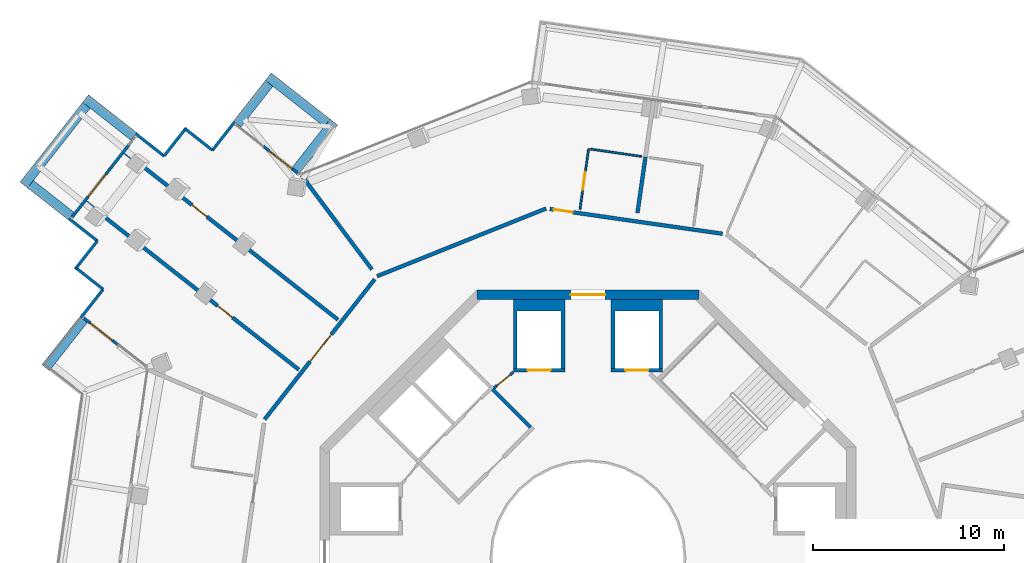
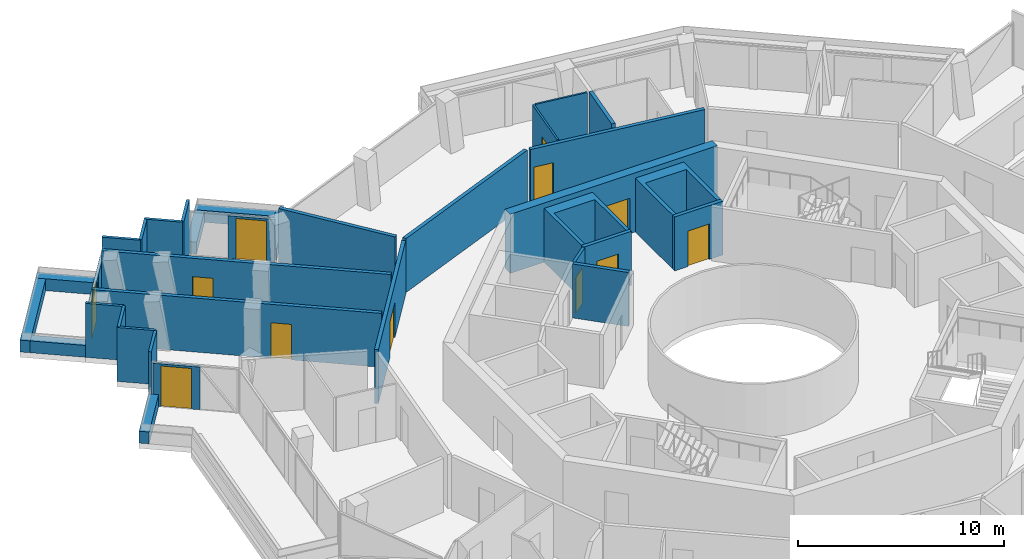
# One storey, part 18 of 23: 35 walls, 12 doors, 12 openings.
"""IFC4 building model written with IfcOpenShell, lengths in metres."""

from ifc_helpers import new_model, si_unit, direction, frame, frame_2d, origin, place, context, subcontext, project, spatial, polyline, rectangle, outline, extrude, material, layer, layer_set, type_object, element, fill, save


model = new_model("IFC4")

# Units and contexts
model_context = context("Model", 3, precision=1e-05, world=origin(), true_north=direction((0.0, 1.0)))
body_context = subcontext(model_context, "Body", "Model", "MODEL_VIEW")
ifc_project = project(units=[si_unit("LENGTHUNIT", "METRE"), si_unit("AREAUNIT", "SQUARE_METRE"), si_unit("VOLUMEUNIT", "CUBIC_METRE"), si_unit("PLANEANGLEUNIT", "RADIAN"), si_unit("MASSUNIT", "GRAM", prefix="KILO")], contexts=[model_context])

# Site, building, storey
site_placement = place(None, origin())
site = spatial("IfcSite", under=ifc_project, at=site_placement, CompositionType="ELEMENT")
building_placement = place(site_placement, origin())
building = spatial("IfcBuilding", under=site, at=building_placement, Name="Verdalira Terraces Hotel", CompositionType="ELEMENT")
storey_placement = place(building_placement, frame((0.0, 0.0, 244.5)))
storey = spatial("IfcBuildingStorey", under=building, at=storey_placement, Name="L60", CompositionType="ELEMENT", Elevation=244.5)

# Walls
ifc_material_1 = material(Name="Concrete C40", Category="concrete")
ifc_layer_1 = layer(ifc_material_1, 0.5)
ifc_layer_set_1 = layer_set([ifc_layer_1], Name="Balcony planter trough with tree")
wall_type_1 = type_object("IfcWallType", Name="Balcony planter trough with tree", PredefinedType="SOLIDWALL", material=ifc_layer_set_1)
wall_1_placement = place(storey_placement, frame((-23.736328, 22.022217, 0.0), z_axis=(0.0, 0.0, 1.0), x_axis=(-0.786326284, 0.61781144, 0.0)))
element("IfcWall", 1, at=wall_1_placement, inside=storey, type_object=wall_type_1, Name="Balcony planter", PredefinedType="SOLIDWALL", context=body_context, shape_type="SweptSolid", body=[
    extrude(rectangle(XDim=3.198975, YDim=0.5, at=frame_2d((1.599609, 0.0))), origin(), (0.0, 0.0, 1.0), 0.699951),
])
wall_2_placement = place(storey_placement, frame((-26.209473, 23.647705, 0.0), z_axis=(0.0, 0.0, 1.0), x_axis=(-0.617845964, -0.786299158, 0.0)))
element("IfcWall", 2, at=wall_2_placement, inside=storey, type_object=wall_type_1, Name="Balcony planter", PredefinedType="SOLIDWALL", context=body_context, shape_type="SweptSolid", body=[
    extrude(rectangle(XDim=5.300049, YDim=0.5, at=frame_2d((2.649902, 0.0))), origin(), (0.0, 0.0, 1.0), 0.699951),
])
wall_3_placement = place(storey_placement, frame((-29.133301, 19.522461, 0.0), z_axis=(0.0, 0.0, 1.0), x_axis=(0.786283812, -0.617865492, 0.0)))
element("IfcWall", 3, at=wall_3_placement, inside=storey, type_object=wall_type_1, Name="Balcony planter", PredefinedType="SOLIDWALL", context=body_context, shape_type="SweptSolid", body=[
    extrude(rectangle(XDim=2.699219, YDim=0.5, at=frame_2d((1.349609, 0.0))), origin(), (0.0, 0.0, 1.0), 0.699951),
])
for number, where, z_axis, x_axis, name in (
    (4, (-26.362305, 12.44751, 0.0), (0.0, 0.0, 1.0), (-0.617858626, -0.786289208, 0.0), "Balcony planter"),
    (5, (-15.253906, 20.254395, 0.0), (0.0, 0.0, 1.0), (0.617858626, 0.786289208, 0.0), "Balcony planter"),
):
    element("IfcWall", number, at=place(storey_placement, frame(where, z_axis=z_axis, x_axis=x_axis)), inside=storey, type_object=wall_type_1, Name=name, PredefinedType="SOLIDWALL", context=body_context, shape_type="SweptSolid", body=[
        extrude(rectangle(XDim=3.198975, YDim=0.5, at=frame_2d((1.599609, 0.0))), origin(), (0.0, 0.0, 1.0), 0.699951),
    ])
wall_4_placement = place(storey_placement, frame((-13.628418, 22.727539, 0.0), z_axis=(0.0, 0.0, 1.0), x_axis=(-0.786259848, 0.617895988, 0.0)))
element("IfcWall", 6, at=wall_4_placement, inside=storey, type_object=wall_type_1, Name="Balcony planter", PredefinedType="SOLIDWALL", context=body_context, shape_type="SweptSolid", body=[
    extrude(rectangle(XDim=3.910889, YDim=0.5, at=frame_2d((1.955566, 0.0))), origin(), (0.0, 0.0, 1.0), 0.699951),
])
wall_5_placement = place(storey_placement, frame((-16.661377, 24.792969, 0.0), z_axis=(0.0, 0.0, 1.0), x_axis=(-0.617809567, -0.786327755, 0.0)))
element("IfcWall", 7, at=wall_5_placement, inside=storey, type_object=wall_type_1, Name="Balcony planter", PredefinedType="SOLIDWALL", context=body_context, shape_type="SweptSolid", body=[
    extrude(rectangle(XDim=2.698975, YDim=0.5, at=frame_2d((1.349609, 0.0))), origin(), (0.0, 0.0, 1.0), 0.699951),
])

# Wall, opening, door
ifc_material_2 = material(Name="Moisture-resistant gypsum board partition")
ifc_layer_2 = layer(ifc_material_2, 0.10009765625)
ifc_layer_set_2 = layer_set([ifc_layer_2], Name="Bathroom partition 100 mm")
wall_type_2 = type_object("IfcWallType", Name="Bathroom partition 100 mm", PredefinedType="PARTITIONING", material=ifc_layer_set_2)
wall_6_placement = place(storey_placement, frame((0.033447, 21.369873, 0.0), z_axis=(0.0, 0.0, 1.0), x_axis=(-0.141912692, -0.989879178, 0.0)))
wall_6 = element("IfcWall", 8, at=wall_6_placement, inside=storey, type_object=wall_type_2, Name="Bathroom partition", PredefinedType="PARTITIONING", context=body_context, shape_type="SweptSolid", body=[
    extrude(rectangle(XDim=3.199951, YDim=0.100098, at=frame_2d((1.600098, 0.0))), origin(), (0.0, 0.0, 1.0), 3.189941),
])
opening_1_placement = place(wall_6_placement, frame((1.25, 0.0, 0.0)))
opening_1 = element("IfcOpeningElement", 9, at=opening_1_placement, cuts=wall_6, Name="Opening L60-128", PredefinedType="OPENING", context=body_context, shape_type="SweptSolid", body=[
    extrude(rectangle(XDim=0.899902, YDim=2.100098, at=frame_2d((0.449951, 1.050049))), frame((0.0, 0.060059, 0.0), z_axis=(0.0, -1.0, 0.0), x_axis=(1.0, 0.0, 0.0)), (0.0, 0.0, 1.0), 0.120117),
])
ifc_material_3 = material(Name="Timber door", Category="wood")
door_type_1 = type_object("IfcDoorType", Name="Bathroom door 900 x 2100", OperationType="NOTDEFINED", PredefinedType="DOOR", material=ifc_material_3)
door_1_placement = place(opening_1_placement, origin())
door_1 = element("IfcDoor", 10, at=door_1_placement, inside=storey, type_object=door_type_1, Name="Bathroom door 6010", OperationType="SINGLE_SWING_LEFT", OverallHeight=2.10009765625, OverallWidth=0.89990234375, PredefinedType="DOOR", context=body_context, shape_type="SweptSolid", body=[
    extrude(rectangle(XDim=0.899902, YDim=2.100098, at=frame_2d((0.449951, 1.050049))), frame((0.0, 0.024902, 0.0), z_axis=(0.0, -1.0, 0.0), x_axis=(1.0, 0.0, 0.0)), (0.0, 0.0, 1.0), 0.050049),
])
fill(opening_1, door_1)

# Walls
wall_7_placement = place(storey_placement, frame((0.132568, 21.355713, 0.0), z_axis=(0.0, 0.0, 1.0), x_axis=(0.989871579, -0.141965687, 0.0)))
element("IfcWall", 11, at=wall_7_placement, inside=storey, type_object=wall_type_2, Name="Bathroom partition", PredefinedType="PARTITIONING", context=body_context, shape_type="SweptSolid", body=[
    extrude(rectangle(XDim=2.699951, YDim=0.100098, at=frame_2d((1.350098, 0.0))), origin(), (0.0, 0.0, 1.0), 3.189941),
])
ifc_material_4 = material(Name="Concrete C50", Category="concrete")
ifc_layer_3 = layer(ifc_material_4, 0.199951171875)
ifc_layer_set_3 = layer_set([ifc_layer_3], Name="Core RC wall 200 C50")
wall_type_3 = type_object("IfcWallType", Name="Core RC wall 200 C50", PredefinedType="SOLIDWALL", material=ifc_layer_set_3)
wall_8_placement = place(storey_placement, origin())
element("IfcWall", 12, at=wall_8_placement, inside=storey, type_object=wall_type_3, Name="L60 shaft wall N1", PredefinedType="SOLIDWALL", context=body_context, shape_type="SweptSolid", body=[
    extrude(outline(polyline([(3.899902, 9.899902), (3.699951, 9.899902), (3.699951, 12.899902), (1.399902, 12.899902), (1.399902, 9.899902), (1.199951, 9.899902), (1.199951, 13.5), (3.899902, 13.5), (3.899902, 9.899902)])), origin(), (0.0, 0.0, 1.0), 3.189941),
])

# Wall, opening, door
wall_9_placement = place(storey_placement, frame((1.199951, 9.800049, 0.0), z_axis=(0.0, 0.0, 1.0), x_axis=(1.0, 0.0, 0.0)))
wall_9 = element("IfcWall", 13, at=wall_9_placement, inside=storey, type_object=wall_type_3, Name="L60 shaft front wall N1", PredefinedType="SOLIDWALL", context=body_context, shape_type="SweptSolid", body=[
    extrude(rectangle(XDim=2.699951, YDim=0.199951, at=frame_2d((1.350098, 0.0))), origin(), (0.0, 0.0, 1.0), 3.189941),
])
opening_2_placement = place(wall_9_placement, frame((0.75, 0.0, 0.0)))
opening_2 = element("IfcOpeningElement", 14, at=opening_2_placement, cuts=wall_9, Name="Opening LD-L60-804", PredefinedType="OPENING", context=body_context, shape_type="SweptSolid", body=[
    extrude(rectangle(XDim=1.199951, YDim=2.100098, at=frame_2d((0.600098, 1.050049))), frame((0.0, 0.109863, 0.0), z_axis=(0.0, -1.0, 0.0), x_axis=(1.0, 0.0, 0.0)), (0.0, 0.0, 1.0), 0.219971),
])
ifc_material_5 = material(Name="Stainless steel", Category="steel")
door_type_2 = type_object("IfcDoorType", Name="Landing door 1200 x 2100", OperationType="NOTDEFINED", PredefinedType="DOOR", material=ifc_material_5)
door_2_placement = place(opening_2_placement, origin())
door_2 = element("IfcDoor", 15, at=door_2_placement, inside=storey, type_object=door_type_2, Name="Lift landing door HR3 L60", OperationType="DOUBLE_DOOR_SLIDING", OverallHeight=2.10009765625, OverallWidth=1.199951171875, PredefinedType="DOOR", context=body_context, shape_type="SweptSolid", body=[
    extrude(rectangle(XDim=1.199951, YDim=2.100098, at=frame_2d((0.600098, 1.050049))), frame((0.0, 0.024902, 0.0), z_axis=(0.0, -1.0, 0.0), x_axis=(1.0, 0.0, 0.0)), (0.0, 0.0, 1.0), 0.050049),
])
fill(opening_2, door_2)

# Wall
wall_10_placement = place(storey_placement, origin())
element("IfcWall", 16, at=wall_10_placement, inside=storey, type_object=wall_type_3, Name="L60 shaft wall N2", PredefinedType="SOLIDWALL", context=body_context, shape_type="SweptSolid", body=[
    extrude(outline(polyline([(-3.899902, 13.5), (-1.199951, 13.5), (-1.199951, 9.899902), (-1.399902, 9.899902), (-1.399902, 12.899902), (-3.699951, 12.899902), (-3.699951, 9.899902), (-3.899902, 9.899902), (-3.899902, 13.5)])), origin(), (0.0, 0.0, 1.0), 3.189941),
])

# Wall, opening, door
wall_11_placement = place(storey_placement, frame((-1.199951, 9.800049, 0.0), z_axis=(0.0, 0.0, 1.0), x_axis=(-1.0, 0.0, 0.0)))
wall_11 = element("IfcWall", 17, at=wall_11_placement, inside=storey, type_object=wall_type_3, Name="L60 shaft front wall N2", PredefinedType="SOLIDWALL", context=body_context, shape_type="SweptSolid", body=[
    extrude(rectangle(XDim=2.699951, YDim=0.199951, at=frame_2d((1.350098, 0.0))), origin(), (0.0, 0.0, 1.0), 3.189941),
])
opening_3_placement = place(wall_11_placement, frame((0.75, 0.0, 0.0)))
opening_3 = element("IfcOpeningElement", 18, at=opening_3_placement, cuts=wall_11, Name="Opening LD-L60-805", PredefinedType="OPENING", context=body_context, shape_type="SweptSolid", body=[
    extrude(rectangle(XDim=1.199951, YDim=2.100098, at=frame_2d((0.600098, 1.050049))), frame((0.0, 0.109863, 0.0), z_axis=(0.0, -1.0, 0.0), x_axis=(1.0, 0.0, 0.0)), (0.0, 0.0, 1.0), 0.219971),
])
door_3_placement = place(opening_3_placement, origin())
door_3 = element("IfcDoor", 19, at=door_3_placement, inside=storey, type_object=door_type_2, Name="Lift landing door HR4 L60", OperationType="DOUBLE_DOOR_SLIDING", OverallHeight=2.10009765625, OverallWidth=1.199951171875, PredefinedType="DOOR", context=body_context, shape_type="SweptSolid", body=[
    extrude(rectangle(XDim=1.199951, YDim=2.100098, at=frame_2d((0.600098, 1.050049))), frame((0.0, 0.024902, 0.0), z_axis=(0.0, -1.0, 0.0), x_axis=(1.0, 0.0, 0.0)), (0.0, 0.0, 1.0), 0.050049),
])
fill(opening_3, door_3)

# Wall
wall_12_placement = place(storey_placement, frame((-3.005127, 6.823486, 0.0), z_axis=(0.0, 0.0, 1.0), x_axis=(-0.707106781, 0.707106781, 0.0)))
element("IfcWall", 20, at=wall_12_placement, inside=storey, type_object=wall_type_3, Name="L60 fire lobby wall", PredefinedType="SOLIDWALL", context=body_context, shape_type="SweptSolid", body=[
    extrude(rectangle(XDim=2.800049, YDim=0.199951, at=frame_2d((1.399902, 0.0))), origin(), (0.0, 0.0, 1.0), 3.189941),
])

# Wall, opening, door
ifc_material_6 = material(Name="Gypsum board partition")
ifc_layer_4 = layer(ifc_material_6, 0.14990234375)
ifc_layer_set_4 = layer_set([ifc_layer_4], Name="Core partition 150 mm")
wall_type_4 = type_object("IfcWallType", Name="Core partition 150 mm", PredefinedType="PARTITIONING", material=ifc_layer_set_4)
wall_13_placement = place(storey_placement, frame((-3.899902, 9.699951, 0.0), z_axis=(0.0, 0.0, 1.0), x_axis=(-0.775559878, -0.631274009, 0.0)))
wall_13 = element("IfcWall", 21, at=wall_13_placement, inside=storey, type_object=wall_type_4, Name="Room partition L60", PredefinedType="PARTITIONING", context=body_context, shape_type="SweptSolid", body=[
    extrude(rectangle(XDim=1.307861, YDim=0.149902, at=frame_2d((0.653809, 0.0))), origin(), (0.0, 0.0, 1.0), 3.189941),
])
opening_4_placement = place(wall_13_placement, frame((0.204102, 0.0, 0.0)))
opening_4 = element("IfcOpeningElement", 22, at=opening_4_placement, cuts=wall_13, Name="Opening L60-820", PredefinedType="OPENING", context=body_context, shape_type="SweptSolid", body=[
    extrude(rectangle(XDim=0.899902, YDim=2.100098, at=frame_2d((0.449951, 1.050049))), frame((0.0, 0.084961, 0.0), z_axis=(0.0, -1.0, 0.0), x_axis=(1.0, 0.0, 0.0)), (0.0, 0.0, 1.0), 0.169922),
])
ifc_material_7 = material(Name="Steel fire door", Category="steel")
door_type_3 = type_object("IfcDoorType", Name="Core room door 900 x 2100", OperationType="NOTDEFINED", PredefinedType="DOOR", material=ifc_material_7)
door_4_placement = place(opening_4_placement, origin())
door_4 = element("IfcDoor", 23, at=door_4_placement, inside=storey, type_object=door_type_3, Name="Door L60 room2", OperationType="SINGLE_SWING_LEFT", OverallHeight=2.10009765625, OverallWidth=0.89990234375, PredefinedType="DOOR", context=body_context, shape_type="SweptSolid", body=[
    extrude(rectangle(XDim=0.899902, YDim=2.100098, at=frame_2d((0.449951, 1.050049))), frame((0.0, 0.024902, 0.0), z_axis=(0.0, -1.0, 0.0), x_axis=(1.0, 0.0, 0.0)), (0.0, 0.0, 1.0), 0.050049),
])
fill(opening_4, door_4)

ifc_material_8 = material(Name="Concrete C50", Category="concrete")
ifc_layer_5 = layer(ifc_material_8, 0.5)
ifc_layer_set_5 = layer_set([ifc_layer_5], Name="Core wall 500 C50")
wall_type_5 = type_object("IfcWallType", Name="Core wall 500 C50", PredefinedType="SHEAR", material=ifc_layer_set_5)
wall_14_placement = place(storey_placement, frame((5.799072, 13.75, 0.0), z_axis=(0.0, 0.0, 1.0), x_axis=(-1.0, 0.0, 0.0)))
wall_14 = element("IfcWall", 24, at=wall_14_placement, inside=storey, type_object=wall_type_5, Name="Core wall CW-L60-3", PredefinedType="SHEAR", context=body_context, shape_type="SweptSolid", body=[
    extrude(rectangle(XDim=11.598145, YDim=0.5, at=frame_2d((5.799072, 0.0))), origin(), (0.0, 0.0, 1.0), 3.5),
])
opening_5_placement = place(wall_14_placement, frame((4.898926, 0.0, 0.0)))
opening_5 = element("IfcOpeningElement", 25, at=opening_5_placement, cuts=wall_14, Name="Opening L60-814", PredefinedType="OPENING", context=body_context, shape_type="SweptSolid", body=[
    extrude(rectangle(XDim=1.800049, YDim=2.100098, at=frame_2d((0.899902, 1.050049))), frame((0.0, 0.26001, 0.0), z_axis=(0.0, -1.0, 0.0), x_axis=(1.0, 0.0, 0.0)), (0.0, 0.0, 1.0), 0.52002),
])
ifc_material_9 = material(Name="Steel fire door", Category="steel")
door_type_4 = type_object("IfcDoorType", Name="Core entry door pair 1800 x 2100", OperationType="NOTDEFINED", PredefinedType="DOOR", material=ifc_material_9)
door_5_placement = place(opening_5_placement, origin())
door_5 = element("IfcDoor", 26, at=door_5_placement, inside=storey, type_object=door_type_4, Name="Core entry door L60 2", OperationType="DOUBLE_DOOR_SINGLE_SWING", OverallHeight=2.10009765625, OverallWidth=1.800048828125, PredefinedType="DOOR", context=body_context, shape_type="SweptSolid", body=[
    extrude(rectangle(XDim=1.800049, YDim=2.100098, at=frame_2d((0.899902, 1.050049))), frame((0.0, 0.024902, 0.0), z_axis=(0.0, -1.0, 0.0), x_axis=(1.0, 0.0, 0.0)), (0.0, 0.0, 1.0), 0.050049),
])
fill(opening_5, door_5)

ifc_material_10 = material(Name="Fire-rated gypsum board wall")
ifc_layer_6 = layer(ifc_material_10, 0.199951171875)
ifc_layer_set_6 = layer_set([ifc_layer_6], Name="Demising wall 200 mm")
wall_type_6 = type_object("IfcWallType", Name="Demising wall 200 mm", PredefinedType="SOLIDWALL", material=ifc_layer_set_6)
wall_15_placement = place(storey_placement, frame((-15.111572, 9.834473, 0.0), z_axis=(0.0, 0.0, 1.0), x_axis=(-0.786285434, 0.617863429, 0.0)))
wall_15 = element("IfcWall", 27, at=wall_15_placement, inside=storey, type_object=wall_type_6, Name="Demising wall", PredefinedType="SOLIDWALL", context=body_context, shape_type="SweptSolid", body=[
    extrude(rectangle(XDim=14.160889, YDim=0.199951, at=frame_2d((7.080566, 0.0))), origin(), (0.0, 0.0, 1.0), 3.189941),
])
opening_6_placement = place(wall_15_placement, frame((4.399902, 0.0, 0.0)))
opening_6 = element("IfcOpeningElement", 28, at=opening_6_placement, cuts=wall_15, Name="Opening L60-103", PredefinedType="OPENING", context=body_context, shape_type="SweptSolid", body=[
    extrude(rectangle(XDim=1.0, YDim=2.100098, at=frame_2d((0.5, 1.050049))), frame((0.0, 0.109863, 0.0), z_axis=(0.0, -1.0, 0.0), x_axis=(1.0, 0.0, 0.0)), (0.0, 0.0, 1.0), 0.219971),
])
ifc_material_11 = material(Name="Timber fire door", Category="wood")
door_type_5 = type_object("IfcDoorType", Name="Public room door 1000 x 2100", OperationType="NOTDEFINED", PredefinedType="DOOR", material=ifc_material_11)
door_6_placement = place(opening_6_placement, origin())
door_6 = element("IfcDoor", 29, at=door_6_placement, inside=storey, type_object=door_type_5, Name="Public room door 6001", OperationType="SINGLE_SWING_LEFT", OverallHeight=2.10009765625, OverallWidth=1.0, PredefinedType="DOOR", context=body_context, shape_type="SweptSolid", body=[
    extrude(rectangle(XDim=1.0, YDim=2.100098, at=frame_2d((0.5, 1.050049))), frame((0.0, 0.024902, 0.0), z_axis=(0.0, -1.0, 0.0), x_axis=(1.0, 0.0, 0.0)), (0.0, 0.0, 1.0), 0.050049),
])
fill(opening_6, door_6)

wall_16_placement = place(storey_placement, frame((-24.197998, 21.190186, 0.0), z_axis=(0.0, 0.0, 1.0), x_axis=(0.78629381, -0.61785277, 0.0)))
wall_16 = element("IfcWall", 30, at=wall_16_placement, inside=storey, type_object=wall_type_6, Name="Demising wall", PredefinedType="SOLIDWALL", context=body_context, shape_type="SweptSolid", body=[
    extrude(rectangle(XDim=14.160645, YDim=0.199951, at=frame_2d((7.080322, 0.0))), origin(), (0.0, 0.0, 1.0), 3.189941),
])
opening_7_placement = place(wall_16_placement, frame((4.449951, 0.0, 0.0)))
opening_7 = element("IfcOpeningElement", 31, at=opening_7_placement, cuts=wall_16, Name="Opening L60-102", PredefinedType="OPENING", context=body_context, shape_type="SweptSolid", body=[
    extrude(rectangle(XDim=1.0, YDim=2.100098, at=frame_2d((0.5, 1.050049))), frame((0.0, 0.109863, 0.0), z_axis=(0.0, -1.0, 0.0), x_axis=(1.0, 0.0, 0.0)), (0.0, 0.0, 1.0), 0.219971),
])
door_7_placement = place(opening_7_placement, origin())
door_7 = element("IfcDoor", 32, at=door_7_placement, inside=storey, type_object=door_type_5, Name="Public room door 6001", OperationType="SINGLE_SWING_LEFT", OverallHeight=2.10009765625, OverallWidth=1.0, PredefinedType="DOOR", context=body_context, shape_type="SweptSolid", body=[
    extrude(rectangle(XDim=1.0, YDim=2.100098, at=frame_2d((0.5, 1.050049))), frame((0.0, 0.024902, 0.0), z_axis=(0.0, -1.0, 0.0), x_axis=(1.0, 0.0, 0.0)), (0.0, 0.0, 1.0), 0.050049),
])
fill(opening_7, door_7)

# Walls
wall_17_placement = place(storey_placement, frame((-14.968018, 19.979004, 0.0), z_axis=(0.0, 0.0, 1.0), x_axis=(0.5995986, -0.800300893, 0.0)))
element("IfcWall", 33, at=wall_17_placement, inside=storey, type_object=wall_type_6, Name="Demising wall", PredefinedType="SOLIDWALL", context=body_context, shape_type="SweptSolid", body=[
    extrude(rectangle(XDim=6.13208, YDim=0.199951, at=frame_2d((3.065918, 0.0))), origin(), (0.0, 0.0, 1.0), 3.189941),
])
wall_18_placement = place(storey_placement, frame((2.583984, 18.02124, 0.0), z_axis=(0.0, 0.0, 1.0), x_axis=(0.141965384, 0.989871623, 0.0)))
element("IfcWall", 34, at=wall_18_placement, inside=storey, type_object=wall_type_6, Name="Demising wall", PredefinedType="SOLIDWALL", context=body_context, shape_type="SweptSolid", body=[
    extrude(rectangle(XDim=2.952637, YDim=0.199951, at=frame_2d((1.476318, 0.0))), origin(), (0.0, 0.0, 1.0), 3.189941),
])

# Wall, opening, door
ifc_material_12 = material(Name="Fire-rated gypsum board wall")
ifc_layer_7 = layer(ifc_material_12, 0.199951171875)
ifc_layer_set_7 = layer_set([ifc_layer_7], Name="Guest corridor wall 200 mm")
wall_type_7 = type_object("IfcWallType", Name="Guest corridor wall 200 mm", PredefinedType="SOLIDWALL", material=ifc_layer_set_7)
wall_19_placement = place(storey_placement, frame((-16.903076, 7.230713, 0.0), z_axis=(0.0, 0.0, 1.0), x_axis=(0.617851641, 0.786294696, 0.0)))
wall_19 = element("IfcWall", 35, at=wall_19_placement, inside=storey, type_object=wall_type_7, Name="Guest corridor wall", PredefinedType="SOLIDWALL", context=body_context, shape_type="SweptSolid", body=[
    extrude(rectangle(XDim=9.31665, YDim=0.199951, at=frame_2d((4.658203, 0.0))), origin(), (0.0, 0.0, 1.0), 3.189941),
])
opening_8_placement = place(wall_19_placement, frame((3.854248, 0.0, 0.0)))
opening_8 = element("IfcOpeningElement", 36, at=opening_8_placement, cuts=wall_19, Name="Opening L60-101", PredefinedType="OPENING", context=body_context, shape_type="SweptSolid", body=[
    extrude(rectangle(XDim=1.800049, YDim=2.100098, at=frame_2d((0.899902, 1.050049))), frame((0.0, 0.109863, 0.0), z_axis=(0.0, -1.0, 0.0), x_axis=(1.0, 0.0, 0.0)), (0.0, 0.0, 1.0), 0.219971),
])
ifc_material_13 = material(Name="Timber fire door", Category="wood")
door_type_6 = type_object("IfcDoorType", Name="Public room double door 1800 x 2100", OperationType="NOTDEFINED", PredefinedType="DOOR", material=ifc_material_13)
door_8_placement = place(opening_8_placement, origin())
door_8 = element("IfcDoor", 37, at=door_8_placement, inside=storey, type_object=door_type_6, Name="Public room double door 6001", OperationType="DOUBLE_DOOR_SINGLE_SWING", OverallHeight=2.10009765625, OverallWidth=1.800048828125, PredefinedType="DOOR", context=body_context, shape_type="SweptSolid", body=[
    extrude(rectangle(XDim=1.800049, YDim=2.100098, at=frame_2d((0.899902, 1.050049))), frame((0.0, 0.024902, 0.0), z_axis=(0.0, -1.0, 0.0), x_axis=(1.0, 0.0, 0.0)), (0.0, 0.0, 1.0), 0.050049),
])
fill(opening_8, door_8)

# Wall
wall_20_placement = place(storey_placement, frame((-2.190186, 18.253662, 0.0), z_axis=(0.0, 0.0, 1.0), x_axis=(-0.928228773, -0.372009873, 0.0)))
element("IfcWall", 38, at=wall_20_placement, inside=storey, type_object=wall_type_7, Name="Guest corridor wall", PredefinedType="SOLIDWALL", context=body_context, shape_type="SweptSolid", body=[
    extrude(rectangle(XDim=9.515869, YDim=0.199951, at=frame_2d((4.757812, 0.0))), origin(), (0.0, 0.0, 1.0), 3.189941),
])

# Wall, opening, door
wall_21_placement = place(storey_placement, frame((-1.991211, 18.225586, 0.0), z_axis=(0.0, 0.0, 1.0), x_axis=(0.98987168, -0.141964985, 0.0)))
wall_21 = element("IfcWall", 39, at=wall_21_placement, inside=storey, type_object=wall_type_7, Name="Guest corridor wall", PredefinedType="SOLIDWALL", context=body_context, shape_type="SweptSolid", body=[
    extrude(rectangle(XDim=9.116211, YDim=0.199951, at=frame_2d((4.558105, 0.0))), origin(), (0.0, 0.0, 1.0), 3.189941),
])
opening_9_placement = place(wall_21_placement, frame((0.199951, 0.0, 0.0)))
opening_9 = element("IfcOpeningElement", 40, at=opening_9_placement, cuts=wall_21, Name="Opening L60-127", PredefinedType="OPENING", context=body_context, shape_type="SweptSolid", body=[
    extrude(rectangle(XDim=1.0, YDim=2.100098, at=frame_2d((0.5, 1.050049))), frame((0.0, 0.109863, 0.0), z_axis=(0.0, -1.0, 0.0), x_axis=(1.0, 0.0, 0.0)), (0.0, 0.0, 1.0), 0.219971),
])
ifc_material_14 = material(Name="Timber fire door", Category="wood")
door_type_7 = type_object("IfcDoorType", Name="Guest entry door 1000 x 2100", OperationType="NOTDEFINED", PredefinedType="DOOR", material=ifc_material_14)
door_9_placement = place(opening_9_placement, origin())
door_9 = element("IfcDoor", 41, at=door_9_placement, inside=storey, type_object=door_type_7, Name="Guest entry door 6010", OperationType="SINGLE_SWING_LEFT", OverallHeight=2.10009765625, OverallWidth=1.0, PredefinedType="DOOR", context=body_context, shape_type="SweptSolid", body=[
    extrude(rectangle(XDim=1.0, YDim=2.100098, at=frame_2d((0.5, 1.050049))), frame((0.0, 0.024902, 0.0), z_axis=(0.0, -1.0, 0.0), x_axis=(1.0, 0.0, 0.0)), (0.0, 0.0, 1.0), 0.050049),
])
fill(opening_9, door_9)

# Walls
ifc_material_15 = material(Name="Terracotta cladding", Category="masonry")
ifc_layer_8 = layer(ifc_material_15, 0.14990234375)
ifc_layer_set_8 = layer_set([ifc_layer_8], Name="Terracotta clad wall 150")
wall_type_8 = type_object("IfcWallType", Name="Terracotta clad wall 150", PredefinedType="SOLIDWALL", material=ifc_layer_set_8)
wall_22_placement = place(storey_placement, frame((-18.467285, 22.778076, 0.0), z_axis=(0.0, 0.0, 1.0), x_axis=(-0.617827302, -0.786313821, 0.0)))
element("IfcWall", 42, at=wall_22_placement, inside=storey, type_object=wall_type_8, Name="Terracotta cladding wall", PredefinedType="SOLIDWALL", context=body_context, shape_type="SweptSolid", body=[
    extrude(rectangle(XDim=1.875, YDim=0.149902, at=frame_2d((0.9375, 0.0))), origin(), (0.0, 0.0, 1.0), 3.189941),
])
wall_23_placement = place(storey_placement, frame((-19.625732, 21.303711, 0.0), z_axis=(0.0, 0.0, 1.0), x_axis=(-0.786238324, 0.617923375, 0.0)))
element("IfcWall", 43, at=wall_23_placement, inside=storey, type_object=wall_type_8, Name="Terracotta cladding wall", PredefinedType="SOLIDWALL", context=body_context, shape_type="SweptSolid", body=[
    extrude(rectangle(XDim=1.800049, YDim=0.149902, at=frame_2d((0.899902, 0.0))), origin(), (0.0, 0.0, 1.0), 3.189941),
])
wall_24_placement = place(storey_placement, frame((-20.994629, 22.474854, 0.0), z_axis=(0.0, 0.0, 1.0), x_axis=(-0.617827302, -0.786313821, 0.0)))
element("IfcWall", 44, at=wall_24_placement, inside=storey, type_object=wall_type_8, Name="Terracotta cladding wall", PredefinedType="SOLIDWALL", context=body_context, shape_type="SweptSolid", body=[
    extrude(rectangle(XDim=1.875, YDim=0.149902, at=frame_2d((0.9375, 0.0))), origin(), (0.0, 0.0, 1.0), 3.189941),
])
wall_25_placement = place(storey_placement, frame((-22.153076, 21.000488, 0.0), z_axis=(0.0, 0.0, 1.0), x_axis=(-0.786250567, 0.617907798, 0.0)))
element("IfcWall", 45, at=wall_25_placement, inside=storey, type_object=wall_type_8, Name="Terracotta cladding wall", PredefinedType="SOLIDWALL", context=body_context, shape_type="SweptSolid", body=[
    extrude(rectangle(XDim=1.875244, YDim=0.149902, at=frame_2d((0.9375, 0.0))), origin(), (0.0, 0.0, 1.0), 3.189941),
])
wall_26_placement = place(storey_placement, frame((-27.118408, 17.716553, 0.0), z_axis=(0.0, 0.0, 1.0), x_axis=(0.786313821, -0.617827302, 0.0)))
element("IfcWall", 46, at=wall_26_placement, inside=storey, type_object=wall_type_8, Name="Terracotta cladding wall", PredefinedType="SOLIDWALL", context=body_context, shape_type="SweptSolid", body=[
    extrude(rectangle(XDim=1.875, YDim=0.149902, at=frame_2d((0.9375, 0.0))), origin(), (0.0, 0.0, 1.0), 3.189941),
])
wall_27_placement = place(storey_placement, frame((-25.644043, 16.558105, 0.0), z_axis=(0.0, 0.0, 1.0), x_axis=(-0.617839523, -0.786304218, 0.0)))
element("IfcWall", 47, at=wall_27_placement, inside=storey, type_object=wall_type_8, Name="Terracotta cladding wall", PredefinedType="SOLIDWALL", context=body_context, shape_type="SweptSolid", body=[
    extrude(rectangle(XDim=1.799805, YDim=0.149902, at=frame_2d((0.899902, 0.0))), origin(), (0.0, 0.0, 1.0), 3.189941),
])
wall_28_placement = place(storey_placement, frame((-26.815186, 15.189209, 0.0), z_axis=(0.0, 0.0, 1.0), x_axis=(0.786250567, -0.617907798, 0.0)))
element("IfcWall", 48, at=wall_28_placement, inside=storey, type_object=wall_type_8, Name="Terracotta cladding wall", PredefinedType="SOLIDWALL", context=body_context, shape_type="SweptSolid", body=[
    extrude(rectangle(XDim=1.875244, YDim=0.149902, at=frame_2d((0.9375, 0.0))), origin(), (0.0, 0.0, 1.0), 3.189941),
])
wall_29_placement = place(storey_placement, frame((-25.34082, 14.030518, 0.0), z_axis=(0.0, 0.0, 1.0), x_axis=(-0.617890562, -0.786264112, 0.0)))
element("IfcWall", 49, at=wall_29_placement, inside=storey, type_object=wall_type_8, Name="Terracotta cladding wall", PredefinedType="SOLIDWALL", context=body_context, shape_type="SweptSolid", body=[
    extrude(rectangle(XDim=1.874756, YDim=0.149902, at=frame_2d((0.9375, 0.0))), origin(), (0.0, 0.0, 1.0), 3.189941),
])
ifc_material_16 = material(Name="Terracotta cladding", Category="masonry")
ifc_layer_9 = layer(ifc_material_16, 0.14990234375)
ifc_layer_set_9 = layer_set([ifc_layer_9], Name="Terracotta column pier 150")
wall_type_9 = type_object("IfcWallType", Name="Terracotta column pier 150", PredefinedType="SOLIDWALL", material=ifc_layer_set_9)
wall_30_placement = place(storey_placement, frame((-23.979248, 21.589844, 0.0), z_axis=(0.0, 0.0, 1.0), x_axis=(-0.617958893, -0.786210409, 0.0)))
element("IfcWall", 50, at=wall_30_placement, inside=storey, type_object=wall_type_9, Name="Terracotta column pier", PredefinedType="SOLIDWALL", context=body_context, shape_type="SweptSolid", body=[
    extrude(rectangle(XDim=1.570068, YDim=0.149902, at=frame_2d((0.785156, 0.0))), origin(), (0.0, 0.0, 1.0), 2.524902),
])

# Wall, opening, door
ifc_material_17 = material(Name="Terracotta cladding", Category="masonry")
ifc_layer_10 = layer(ifc_material_17, 0.14990234375)
ifc_layer_set_10 = layer_set([ifc_layer_10], Name="Terracotta door pier 150")
wall_type_10 = type_object("IfcWallType", Name="Terracotta door pier 150", PredefinedType="SOLIDWALL", material=ifc_layer_set_10)
wall_31_placement = place(storey_placement, frame((-15.159424, 20.083496, 0.0), z_axis=(0.0, 0.0, 1.0), x_axis=(-0.786307288, 0.617835617, 0.0)))
wall_31 = element("IfcWall", 51, at=wall_31_placement, inside=storey, type_object=wall_type_10, Name="Terracotta door pier", PredefinedType="SOLIDWALL", context=body_context, shape_type="SweptSolid", body=[
    extrude(rectangle(XDim=2.299805, YDim=0.149902, at=frame_2d((1.149902, 0.0))), origin(), (0.0, 0.0, 1.0), 2.524902),
])
opening_10_placement = place(wall_31_placement, frame((0.399902, 0.0, 0.0)))
opening_10 = element("IfcOpeningElement", 52, at=opening_10_placement, cuts=wall_31, Name="Opening L60-B01", PredefinedType="OPENING", context=body_context, shape_type="SweptSolid", body=[
    extrude(rectangle(XDim=1.5, YDim=2.399902, at=frame_2d((0.75, 1.199951))), frame((0.0, 0.084961, 0.0), z_axis=(0.0, -1.0, 0.0), x_axis=(1.0, 0.0, 0.0)), (0.0, 0.0, 1.0), 0.169922),
])
ifc_material_18 = material(Name="Clear glass", Category="glass")
door_type_8 = type_object("IfcDoorType", Name="Balcony sliding door 1500x2400", OperationType="NOTDEFINED", PredefinedType="DOOR", material=ifc_material_18)
door_10_placement = place(opening_10_placement, origin())
door_10 = element("IfcDoor", 53, at=door_10_placement, inside=storey, type_object=door_type_8, Name="Balcony sliding door", OperationType="SLIDING_TO_LEFT", OverallHeight=2.39990234375, OverallWidth=1.5, PredefinedType="DOOR", context=body_context, shape_type="SweptSolid", body=[
    extrude(rectangle(XDim=1.5, YDim=2.399902, at=frame_2d((0.75, 1.199951))), frame((0.0, 0.024902, 0.0), z_axis=(0.0, -1.0, 0.0), x_axis=(1.0, 0.0, 0.0)), (0.0, 0.0, 1.0), 0.050049),
])
fill(opening_10, door_10)

wall_32_placement = place(storey_placement, frame((-24.949463, 20.355469, 0.0), z_axis=(0.0, 0.0, 1.0), x_axis=(-0.617821552, -0.786318339, 0.0)))
wall_32 = element("IfcWall", 54, at=wall_32_placement, inside=storey, type_object=wall_type_10, Name="Terracotta door pier", PredefinedType="SOLIDWALL", context=body_context, shape_type="SweptSolid", body=[
    extrude(rectangle(XDim=3.26001, YDim=0.149902, at=frame_2d((1.629883, 0.0))), origin(), (0.0, 0.0, 1.0), 2.524902),
])
opening_11_placement = place(wall_32_placement, frame((0.399902, 0.0, 0.0)))
opening_11 = element("IfcOpeningElement", 55, at=opening_11_placement, cuts=wall_32, Name="Opening L60-B02", PredefinedType="OPENING", context=body_context, shape_type="SweptSolid", body=[
    extrude(rectangle(XDim=1.5, YDim=2.399902, at=frame_2d((0.75, 1.199951))), frame((0.0, 0.084961, 0.0), z_axis=(0.0, -1.0, 0.0), x_axis=(1.0, 0.0, 0.0)), (0.0, 0.0, 1.0), 0.169922),
])
door_11_placement = place(opening_11_placement, origin())
door_11 = element("IfcDoor", 56, at=door_11_placement, inside=storey, type_object=door_type_8, Name="Balcony sliding door", OperationType="SLIDING_TO_RIGHT", OverallHeight=2.39990234375, OverallWidth=1.5, PredefinedType="DOOR", context=body_context, shape_type="SweptSolid", body=[
    extrude(rectangle(XDim=1.5, YDim=2.399902, at=frame_2d((0.75, 1.199951))), frame((0.0, 0.024902, 0.0), z_axis=(0.0, -1.0, 0.0), x_axis=(1.0, 0.0, 0.0)), (0.0, 0.0, 1.0), 0.050049),
])
fill(opening_11, door_11)

wall_33_placement = place(storey_placement, frame((-26.339111, 12.525635, 0.0), z_axis=(0.0, 0.0, 1.0), x_axis=(0.786347805, -0.617784048, 0.0)))
wall_33 = element("IfcWall", 57, at=wall_33_placement, inside=storey, type_object=wall_type_10, Name="Terracotta door pier", PredefinedType="SOLIDWALL", context=body_context, shape_type="SweptSolid", body=[
    extrude(rectangle(XDim=2.300049, YDim=0.149902, at=frame_2d((1.149902, 0.0))), origin(), (0.0, 0.0, 1.0), 2.524902),
])
opening_12_placement = place(wall_33_placement, frame((0.399902, 0.0, 0.0)))
opening_12 = element("IfcOpeningElement", 58, at=opening_12_placement, cuts=wall_33, Name="Opening L60-B03", PredefinedType="OPENING", context=body_context, shape_type="SweptSolid", body=[
    extrude(rectangle(XDim=1.5, YDim=2.399902, at=frame_2d((0.75, 1.199951))), frame((0.0, 0.084961, 0.0), z_axis=(0.0, -1.0, 0.0), x_axis=(1.0, 0.0, 0.0)), (0.0, 0.0, 1.0), 0.169922),
])
door_12_placement = place(opening_12_placement, origin())
door_12 = element("IfcDoor", 59, at=door_12_placement, inside=storey, type_object=door_type_8, Name="Balcony sliding door", OperationType="SLIDING_TO_LEFT", OverallHeight=2.39990234375, OverallWidth=1.5, PredefinedType="DOOR", context=body_context, shape_type="SweptSolid", body=[
    extrude(rectangle(XDim=1.5, YDim=2.399902, at=frame_2d((0.75, 1.199951))), frame((0.0, 0.024902, 0.0), z_axis=(0.0, -1.0, 0.0), x_axis=(1.0, 0.0, 0.0)), (0.0, 0.0, 1.0), 0.050049),
])
fill(opening_12, door_12)

save(model, "model.ifc")
